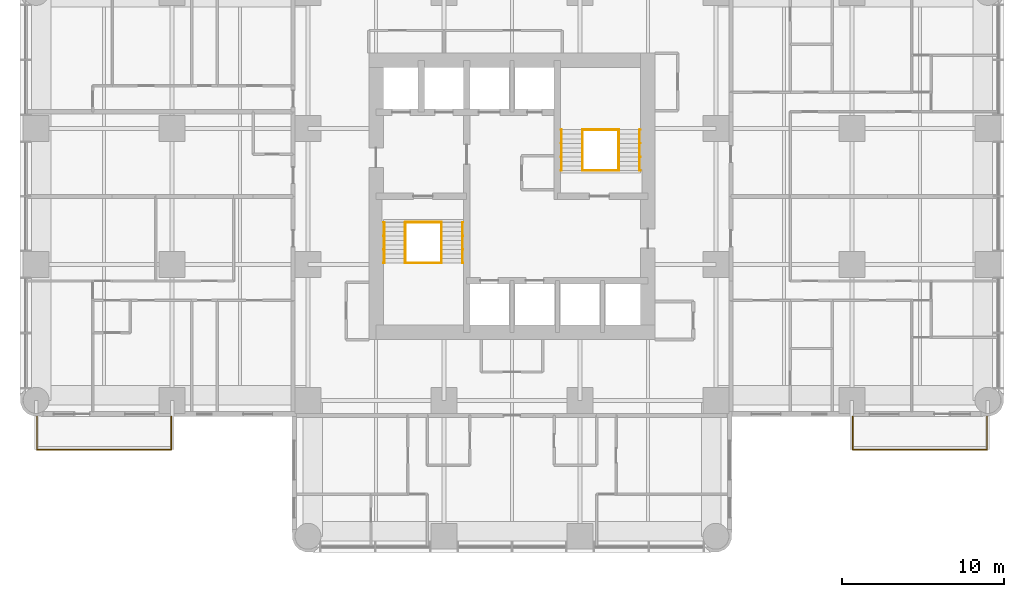
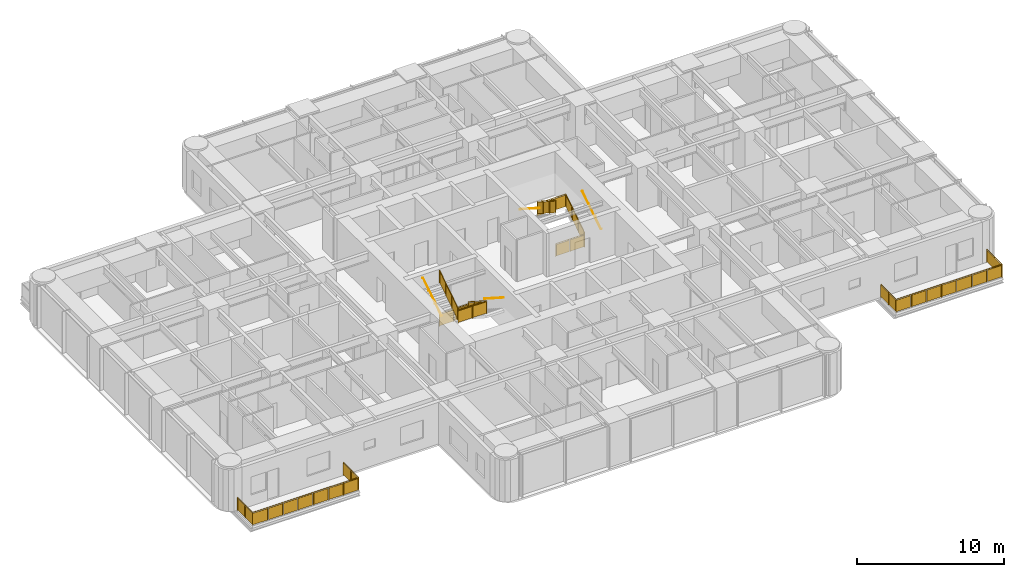
# One storey, part 14 of 15: 14 railings.
"""IFC4 building model written with IfcOpenShell, lengths in metres."""

import ifcopenshell
import ifcopenshell.guid

model = None  # the IFC model being written
_history = None  # IfcOwnerHistory: only IFC2X3 demands one
_inside = {}  # id of a spatial element -> (the spatial element, [elements in it])
_under = {}  # id of a project, library or spatial element -> (it, [spatial elements below it])
_declared = {}  # id of a project -> (the project, [libraries it declares])
_typed = {}  # id of a type object -> (the type object, [elements of that type])
_made_of = {}  # id of a material, layer set ... -> (it, [elements and type objects made of it])


def new_model(schema):
    """Start an empty IFC model of exactly this schema.

    Asked for "IFC4X3", IfcOpenShell would pick the latest addendum, in which some entities
    have other attributes; the version numbers below select the first issue.
    IFC2X3 requires an IfcOwnerHistory on every rooted entity: one is made here for all.
    """
    global model, _history
    if schema == "IFC4X3":
        model = ifcopenshell.file(schema_version=(4, 3, 0, 0))
    else:
        model = ifcopenshell.file(schema=schema)
    _inside.clear()
    _under.clear()
    _declared.clear()
    _typed.clear()
    _made_of.clear()
    _history = None
    if model.schema == "IFC2X3":
        org = make("IfcOrganization", Name="unknown")
        user = make(
            "IfcPersonAndOrganization",
            ThePerson=make("IfcPerson", FamilyName="unknown"),
            TheOrganization=org,
        )
        app = make(
            "IfcApplication",
            ApplicationDeveloper=org,
            Version="unknown",
            ApplicationFullName="unknown",
            ApplicationIdentifier="unknown",
        )
        _history = make(
            "IfcOwnerHistory",
            OwningUser=user,
            OwningApplication=app,
            ChangeAction="ADDED",
            CreationDate=0,
        )
    return model


def make(cls, **values):
    """One entity of the class cls with the attributes given. An attribute that is None is left unset."""
    return model.create_entity(
        cls, **{name: value for name, value in values.items() if value is not None}
    )


def rooted(cls, **values):
    """An entity with a GlobalId (a new one), such as an element, a storey or a relation."""
    return make(cls, GlobalId=ifcopenshell.guid.new(), OwnerHistory=_history, **values)


def si_unit(unit_type, name, prefix=None):
    """IfcSIUnit, for example si_unit("LENGTHUNIT", "METRE", prefix="MILLI")."""
    return make("IfcSIUnit", UnitType=unit_type, Prefix=prefix, Name=name)


def assignment(units):
    """IfcUnitAssignment: the units of a project."""
    return None if units is None else make("IfcUnitAssignment", Units=units)


def point(xyz):
    """IfcCartesianPoint."""
    return None if xyz is None else make("IfcCartesianPoint", Coordinates=xyz)


def direction(xyz):
    """IfcDirection."""
    return None if xyz is None else make("IfcDirection", DirectionRatios=xyz)


def frame(location, z_axis=None, x_axis=None):
    """IfcAxis2Placement3D, a coordinate frame: its origin and axes. An axis left out is left unset."""
    return make(
        "IfcAxis2Placement3D",
        Location=point(location),
        Axis=direction(z_axis),
        RefDirection=direction(x_axis),
    )


def frame_2d(location, x_axis=None):
    """IfcAxis2Placement2D, a coordinate frame in the plane: its origin and x axis."""
    return make(
        "IfcAxis2Placement2D", Location=point(location), RefDirection=direction(x_axis)
    )


def origin():
    """The frame at (0, 0, 0) with its axes left unset."""
    return frame((0.0, 0.0, 0.0))


def origin_2d():
    """The frame at (0, 0) in the plane with its x axis left unset."""
    return frame_2d((0.0, 0.0))


def place(relative_to, where):
    """IfcLocalPlacement: puts the frame where relative to a parent placement (None: the world)."""
    return make(
        "IfcLocalPlacement", PlacementRelTo=relative_to, RelativePlacement=where
    )


def context(
    kind, dimensions, precision=None, world=None, true_north=None, identifier=None
):
    """IfcGeometricRepresentationContext, for example the 3D "Model" context."""
    return make(
        "IfcGeometricRepresentationContext",
        ContextIdentifier=identifier,
        ContextType=kind,
        CoordinateSpaceDimension=dimensions,
        Precision=precision,
        WorldCoordinateSystem=world,
        TrueNorth=true_north,
    )


def subcontext(parent, identifier, kind, view, scale=None):
    """IfcGeometricRepresentationSubContext, for example "Body" below "Model"."""
    return make(
        "IfcGeometricRepresentationSubContext",
        ContextIdentifier=identifier,
        ContextType=kind,
        ParentContext=parent,
        TargetScale=scale,
        TargetView=view,
    )


def project(units=None, contexts=None):
    """IfcProject with its units and contexts."""
    return rooted(
        "IfcProject",
        Name="project",
        RepresentationContexts=contexts,
        UnitsInContext=assignment(units),
    )


def spatial(cls, under=None, at=None, **own):
    """A site, building, storey or space (cls), placed at a placement, below another one or the project."""
    s = rooted(cls, ObjectPlacement=at, **own)
    if under is not None:
        _under.setdefault(under.id(), (under, []))[1].append(s)
    return s


def polyline(points):
    """IfcPolyline through the points."""
    return make("IfcPolyline", Points=[point(p) for p in points])


def profile(cls, at=None, kind="AREA", **sizes):
    """A parametric profile (cls). Its sizes go by their IFC names, for example OverallWidth=200.0."""
    return make(cls, ProfileType=kind, Position=at, **sizes)


def circle(**sizes):
    """IfcCircleProfileDef."""
    return profile("IfcCircleProfileDef", **sizes)


def outline(outer, holes=None, kind="AREA"):
    """IfcArbitraryClosedProfileDef: a profile drawn as a closed curve; with holes, ...WithVoids."""
    if holes is None:
        return make("IfcArbitraryClosedProfileDef", ProfileType=kind, OuterCurve=outer)
    return make(
        "IfcArbitraryProfileDefWithVoids",
        ProfileType=kind,
        OuterCurve=outer,
        InnerCurves=holes,
    )


def extrude(swept, where, along, depth):
    """IfcExtrudedAreaSolid: the profile swept, set in the frame where, extruded along a direction by depth."""
    return make(
        "IfcExtrudedAreaSolid",
        SweptArea=swept,
        Position=where,
        ExtrudedDirection=direction(along),
        Depth=depth,
    )


def shape(context_of_items, identifier, shape_type, items):
    """IfcShapeRepresentation: the items that make up one representation, for example the "Body"."""
    return make(
        "IfcShapeRepresentation",
        ContextOfItems=context_of_items,
        RepresentationIdentifier=identifier,
        RepresentationType=shape_type,
        Items=items,
    )


def material(Name=None, Category=None):
    """IfcMaterial."""
    return make("IfcMaterial", Name=Name, Category=Category)


def constituent(of_material, Name=None, Category=None, fraction=None):
    """IfcMaterialConstituent: one of the materials an element consists of."""
    return make(
        "IfcMaterialConstituent",
        Name=Name,
        Material=of_material,
        Fraction=fraction,
        Category=Category,
    )


def constituent_set(constituents=None, Name=None):
    """IfcMaterialConstituentSet."""
    return make(
        "IfcMaterialConstituentSet", Name=Name, MaterialConstituents=constituents
    )


def made_of(thing, what):
    """Note that an element or type object is made of a material, layer set ...; save() writes the relation."""
    if what is not None:
        _made_of.setdefault(what.id(), (what, []))[1].append(thing)
    return thing


def type_object(cls, material=None, **own):
    """A type object (cls), such as IfcWallType, which elements share."""
    return made_of(rooted(cls, **own), material)


def element(
    cls,
    number,
    at=None,
    inside=None,
    cuts=None,
    type_object=None,
    material=None,
    context=None,
    identifier="Body",
    shape_type=None,
    held_by="IfcProductDefinitionShape",
    body=None,
    shapes=None,
    **own,
):
    """One element of the class cls, such as IfcWall. Its Tag is "e" and its number.

    at: its placement. inside: the storey or other place that contains it. cuts: it is an
    opening in that element (IfcRelVoidsElement). A single representation is given by context,
    identifier, shape_type and body (its items); several are given by shapes. held_by: the class
    of the entity that holds the representations. save() writes the other relations.
    """
    e = rooted(cls, Tag="e%d" % number, ObjectPlacement=at, **own)
    if body is not None:
        shapes = [shape(context, identifier, shape_type, body)]
    if shapes is not None:
        e.Representation = make(held_by, Representations=shapes)
    if inside is not None:
        _inside.setdefault(inside.id(), (inside, []))[1].append(e)
    if cuts is not None:
        rooted(
            "IfcRelVoidsElement", RelatingBuildingElement=cuts, RelatedOpeningElement=e
        )
    if type_object is not None:
        _typed.setdefault(type_object.id(), (type_object, []))[1].append(e)
    return made_of(e, material)


def aggregate(whole, parts):
    """IfcRelAggregates: a whole, such as a stair, and the parts it consists of."""
    return rooted("IfcRelAggregates", RelatingObject=whole, RelatedObjects=parts)


def save(model, path):
    """Write the relations noted so far, then the file.

    IfcRelAggregates (storeys below a building ...), IfcRelContainedInSpatialStructure (elements
    in a storey), IfcRelDefinesByType, IfcRelAssociatesMaterial and IfcRelDeclares: one each for
    every whole, place, type object, material and project.
    """
    for whole, parts in _under.values():
        aggregate(whole, parts)
    for where, things in _inside.values():
        rooted(
            "IfcRelContainedInSpatialStructure",
            RelatedElements=things,
            RelatingStructure=where,
        )
    for kind, things in _typed.values():
        rooted("IfcRelDefinesByType", RelatedObjects=things, RelatingType=kind)
    for what, things in _made_of.values():
        rooted("IfcRelAssociatesMaterial", RelatedObjects=things, RelatingMaterial=what)
    for by, libraries in _declared.values():
        rooted("IfcRelDeclares", RelatingContext=by, RelatedDefinitions=libraries)
    model.write(path)


model = new_model("IFC4")

# Units and contexts
model_context = context("Model", 3, precision=1e-05, world=origin(), true_north=direction((0.0, 1.0)))
body_context = subcontext(model_context, "Body", "Model", "MODEL_VIEW")
ifc_project = project(units=[si_unit("LENGTHUNIT", "METRE"), si_unit("AREAUNIT", "SQUARE_METRE"), si_unit("VOLUMEUNIT", "CUBIC_METRE"), si_unit("PLANEANGLEUNIT", "RADIAN"), si_unit("MASSUNIT", "GRAM", prefix="KILO")], contexts=[model_context])

# Site, building, storey
site_placement = place(None, origin())
site = spatial("IfcSite", under=ifc_project, at=site_placement, CompositionType="ELEMENT")
building_placement = place(site_placement, origin())
building = spatial("IfcBuilding", under=site, at=building_placement, Name="Torre Alcanfor", CompositionType="ELEMENT")
storey_placement = place(building_placement, frame((0.0, 0.0, 123.300048828125)))
storey = spatial("IfcBuildingStorey", under=building, at=storey_placement, Name="L31", CompositionType="ELEMENT", Elevation=123.300048828125)

# Railings
ifc_material_1 = material(Name="Laminated safety glass", Category="glass")
ifc_constituent_1 = constituent(ifc_material_1, Name="Infill")
ifc_material_2 = material(Name="Stainless steel ASTM A554 Grade MT 316L tube", Category="steel")
ifc_constituent_2 = constituent(ifc_material_2, Name="Posts and rail")
ifc_constituent_set = constituent_set(constituents=[ifc_constituent_1, ifc_constituent_2], Name="Balcony guard glass 1100")
railing_type_1 = type_object("IfcRailingType", Name="Balcony guard glass 1100", PredefinedType="BALUSTRADE", material=ifc_constituent_set)
railing_1_placement = place(storey_placement, frame((50.449951171875, 15.800048828125, 0.0)))
element("IfcRailing", 1, at=railing_1_placement, inside=storey, type_object=railing_type_1, Name="Balcony guard L31-E2", PredefinedType="BALUSTRADE", context=body_context, shape_type="SweptSolid", body=[
    extrude(circle(Radius=0.02392578125, at=origin_2d()), frame((0.0, 0.0, 1.076171875), z_axis=(0.0, -1.0, 0.0), x_axis=(1.0, 0.0, 0.0)), (0.0, 0.0, 1.0), 2.050048828125),
    extrude(circle(Radius=0.02392578125, at=origin_2d()), frame((0.0, -2.050048828125, 1.076171875), z_axis=(1.0, 0.0, 0.0), x_axis=(0.0, 1.0, 0.0)), (0.0, 0.0, 1.0), 8.300048828125),
    extrude(circle(Radius=0.02392578125, at=origin_2d()), frame((8.300048828125, -2.050048828125, 1.076171875), z_axis=(0.0, 1.0, 0.0), x_axis=(-1.0, 0.0, 0.0)), (0.0, 0.0, 1.0), 2.050048828125),
    extrude(circle(Radius=0.02099609375, at=origin_2d()), origin(), (0.0, 0.0, 1.0), 1.052001953125),
    extrude(circle(Radius=0.02099609375, at=origin_2d()), frame((0.0, -1.02490234375, 0.0)), (0.0, 0.0, 1.0), 1.052001953125),
    extrude(circle(Radius=0.02099609375, at=origin_2d()), frame((0.0, -2.050048828125, 0.0)), (0.0, 0.0, 1.0), 1.052001953125),
    extrude(circle(Radius=0.02099609375, at=origin_2d()), frame((1.185791015625, -2.050048828125, 0.0)), (0.0, 0.0, 1.0), 1.052001953125),
    extrude(circle(Radius=0.02099609375, at=origin_2d()), frame((2.371337890625, -2.050048828125, 0.0)), (0.0, 0.0, 1.0), 1.052001953125),
    extrude(circle(Radius=0.02099609375, at=origin_2d()), frame((3.55712890625, -2.050048828125, 0.0)), (0.0, 0.0, 1.0), 1.052001953125),
    extrude(circle(Radius=0.02099609375, at=origin_2d()), frame((4.742919921875, -2.050048828125, 0.0)), (0.0, 0.0, 1.0), 1.052001953125),
    extrude(circle(Radius=0.02099609375, at=origin_2d()), frame((5.9287109375, -2.050048828125, 0.0)), (0.0, 0.0, 1.0), 1.052001953125),
    extrude(circle(Radius=0.02099609375, at=origin_2d()), frame((7.1142578125, -2.050048828125, 0.0)), (0.0, 0.0, 1.0), 1.052001953125),
    extrude(circle(Radius=0.02099609375, at=origin_2d()), frame((8.300048828125, -2.050048828125, 0.0)), (0.0, 0.0, 1.0), 1.052001953125),
    extrude(circle(Radius=0.02099609375, at=origin_2d()), frame((8.300048828125, -1.02490234375, 0.0)), (0.0, 0.0, 1.0), 1.052001953125),
    extrude(circle(Radius=0.02099609375, at=origin_2d()), frame((8.300048828125, 0.0, 0.0)), (0.0, 0.0, 1.0), 1.052001953125),
    extrude(outline(polyline([(0.041015625, 0.050048828125), (0.984130859375, 0.050048828125), (0.984130859375, 1.001953125), (0.041015625, 1.001953125), (0.041015625, 0.050048828125)])), frame((0.005859375, 0.0, 0.0), z_axis=(-1.0, 0.0, 0.0), x_axis=(0.0, -1.0, 0.0)), (0.0, 0.0, 1.0), 0.011962890625),
    extrude(outline(polyline([(1.06591796875, 0.050048828125), (2.009033203125, 0.050048828125), (2.009033203125, 1.001953125), (1.06591796875, 1.001953125), (1.06591796875, 0.050048828125)])), frame((0.005859375, 0.0, 0.0), z_axis=(-1.0, 0.0, 0.0), x_axis=(0.0, -1.0, 0.0)), (0.0, 0.0, 1.0), 0.011962890625),
    extrude(outline(polyline([(0.041015625, 0.050048828125), (1.144775390625, 0.050048828125), (1.144775390625, 1.001953125), (0.041015625, 1.001953125), (0.041015625, 0.050048828125)])), frame((0.0, -2.0439453125, 0.0), z_axis=(0.0, -1.0, 0.0), x_axis=(1.0, 0.0, 0.0)), (0.0, 0.0, 1.0), 0.011962890625),
    extrude(outline(polyline([(1.226806640625, 0.050048828125), (2.330322265625, 0.050048828125), (2.330322265625, 1.001953125), (1.226806640625, 1.001953125), (1.226806640625, 0.050048828125)])), frame((0.0, -2.0439453125, 0.0), z_axis=(0.0, -1.0, 0.0), x_axis=(1.0, 0.0, 0.0)), (0.0, 0.0, 1.0), 0.011962890625),
    extrude(outline(polyline([(2.412353515625, 0.050048828125), (3.51611328125, 0.050048828125), (3.51611328125, 1.001953125), (2.412353515625, 1.001953125), (2.412353515625, 0.050048828125)])), frame((0.0, -2.0439453125, 0.0), z_axis=(0.0, -1.0, 0.0), x_axis=(1.0, 0.0, 0.0)), (0.0, 0.0, 1.0), 0.011962890625),
    extrude(outline(polyline([(3.59814453125, 0.050048828125), (4.701904296875, 0.050048828125), (4.701904296875, 1.001953125), (3.59814453125, 1.001953125), (3.59814453125, 0.050048828125)])), frame((0.0, -2.0439453125, 0.0), z_axis=(0.0, -1.0, 0.0), x_axis=(1.0, 0.0, 0.0)), (0.0, 0.0, 1.0), 0.011962890625),
    extrude(outline(polyline([(4.783935546875, 0.050048828125), (5.8876953125, 0.050048828125), (5.8876953125, 1.001953125), (4.783935546875, 1.001953125), (4.783935546875, 0.050048828125)])), frame((0.0, -2.0439453125, 0.0), z_axis=(0.0, -1.0, 0.0), x_axis=(1.0, 0.0, 0.0)), (0.0, 0.0, 1.0), 0.011962890625),
    extrude(outline(polyline([(5.9697265625, 0.050048828125), (7.0732421875, 0.050048828125), (7.0732421875, 1.001953125), (5.9697265625, 1.001953125), (5.9697265625, 0.050048828125)])), frame((0.0, -2.0439453125, 0.0), z_axis=(0.0, -1.0, 0.0), x_axis=(1.0, 0.0, 0.0)), (0.0, 0.0, 1.0), 0.011962890625),
    extrude(outline(polyline([(7.1552734375, 0.050048828125), (8.259033203125, 0.050048828125), (8.259033203125, 1.001953125), (7.1552734375, 1.001953125), (7.1552734375, 0.050048828125)])), frame((0.0, -2.0439453125, 0.0), z_axis=(0.0, -1.0, 0.0), x_axis=(1.0, 0.0, 0.0)), (0.0, 0.0, 1.0), 0.011962890625),
    extrude(outline(polyline([(0.041015625, 0.050048828125), (0.984130859375, 0.050048828125), (0.984130859375, 1.001953125), (0.041015625, 1.001953125), (0.041015625, 0.050048828125)])), frame((8.2939453125, -2.050048828125, 0.0), z_axis=(1.0, 0.0, 0.0), x_axis=(0.0, 1.0, 0.0)), (0.0, 0.0, 1.0), 0.011962890625),
    extrude(outline(polyline([(1.06591796875, 0.050048828125), (2.009033203125, 0.050048828125), (2.009033203125, 1.001953125), (1.06591796875, 1.001953125), (1.06591796875, 0.050048828125)])), frame((8.2939453125, -2.050048828125, 0.0), z_axis=(1.0, 0.0, 0.0), x_axis=(0.0, 1.0, 0.0)), (0.0, 0.0, 1.0), 0.011962890625),
])
railing_2_placement = place(storey_placement, frame((8.35009765625, 15.800048828125, 0.0)))
element("IfcRailing", 2, at=railing_2_placement, inside=storey, type_object=railing_type_1, Name="Balcony guard L31-W1", PredefinedType="BALUSTRADE", context=body_context, shape_type="SweptSolid", body=[
    extrude(circle(Radius=0.02392578125, at=origin_2d()), frame((0.0, 0.0, 1.076171875), z_axis=(0.0, -1.0, 0.0), x_axis=(1.0, 0.0, 0.0)), (0.0, 0.0, 1.0), 2.050048828125),
    extrude(circle(Radius=0.02392578125, at=origin_2d()), frame((0.0, -2.050048828125, 1.076171875), z_axis=(-1.0, 0.0, 0.0), x_axis=(0.0, -1.0, 0.0)), (0.0, 0.0, 1.0), 8.300048828125),
    extrude(circle(Radius=0.02392578125, at=origin_2d()), frame((-8.300048828125, -2.050048828125, 1.076171875), z_axis=(0.0, 1.0, 0.0), x_axis=(-1.0, 0.0, 0.0)), (0.0, 0.0, 1.0), 2.050048828125),
    extrude(circle(Radius=0.02099609375, at=origin_2d()), origin(), (0.0, 0.0, 1.0), 1.052001953125),
    extrude(circle(Radius=0.02099609375, at=origin_2d()), frame((0.0, -1.02490234375, 0.0)), (0.0, 0.0, 1.0), 1.052001953125),
    extrude(circle(Radius=0.02099609375, at=origin_2d()), frame((0.0, -2.050048828125, 0.0)), (0.0, 0.0, 1.0), 1.052001953125),
    extrude(circle(Radius=0.02099609375, at=origin_2d()), frame((-1.185791015625, -2.050048828125, 0.0)), (0.0, 0.0, 1.0), 1.052001953125),
    extrude(circle(Radius=0.02099609375, at=origin_2d()), frame((-2.371337890625, -2.050048828125, 0.0)), (0.0, 0.0, 1.0), 1.052001953125),
    extrude(circle(Radius=0.02099609375, at=origin_2d()), frame((-3.55712890625, -2.050048828125, 0.0)), (0.0, 0.0, 1.0), 1.052001953125),
    extrude(circle(Radius=0.02099609375, at=origin_2d()), frame((-4.742919921875, -2.050048828125, 0.0)), (0.0, 0.0, 1.0), 1.052001953125),
    extrude(circle(Radius=0.02099609375, at=origin_2d()), frame((-5.9287109375, -2.050048828125, 0.0)), (0.0, 0.0, 1.0), 1.052001953125),
    extrude(circle(Radius=0.02099609375, at=origin_2d()), frame((-7.1142578125, -2.050048828125, 0.0)), (0.0, 0.0, 1.0), 1.052001953125),
    extrude(circle(Radius=0.02099609375, at=origin_2d()), frame((-8.300048828125, -2.050048828125, 0.0)), (0.0, 0.0, 1.0), 1.052001953125),
    extrude(circle(Radius=0.02099609375, at=origin_2d()), frame((-8.300048828125, -1.02490234375, 0.0)), (0.0, 0.0, 1.0), 1.052001953125),
    extrude(circle(Radius=0.02099609375, at=origin_2d()), frame((-8.300048828125, 0.0, 0.0)), (0.0, 0.0, 1.0), 1.052001953125),
    extrude(outline(polyline([(0.041015625, 0.050048828125), (0.984130859375, 0.050048828125), (0.984130859375, 1.001953125), (0.041015625, 1.001953125), (0.041015625, 0.050048828125)])), frame((0.005859375, 0.0, 0.0), z_axis=(-1.0, 0.0, 0.0), x_axis=(0.0, -1.0, 0.0)), (0.0, 0.0, 1.0), 0.011962890625),
    extrude(outline(polyline([(1.06591796875, 0.050048828125), (2.009033203125, 0.050048828125), (2.009033203125, 1.001953125), (1.06591796875, 1.001953125), (1.06591796875, 0.050048828125)])), frame((0.005859375, 0.0, 0.0), z_axis=(-1.0, 0.0, 0.0), x_axis=(0.0, -1.0, 0.0)), (0.0, 0.0, 1.0), 0.011962890625),
    extrude(outline(polyline([(0.041015625, 0.050048828125), (1.144775390625, 0.050048828125), (1.144775390625, 1.001953125), (0.041015625, 1.001953125), (0.041015625, 0.050048828125)])), frame((0.0, -2.05615234375, 0.0), z_axis=(0.0, 1.0, 0.0), x_axis=(-1.0, 0.0, 0.0)), (0.0, 0.0, 1.0), 0.011962890625),
    extrude(outline(polyline([(1.226806640625, 0.050048828125), (2.330322265625, 0.050048828125), (2.330322265625, 1.001953125), (1.226806640625, 1.001953125), (1.226806640625, 0.050048828125)])), frame((0.0, -2.05615234375, 0.0), z_axis=(0.0, 1.0, 0.0), x_axis=(-1.0, 0.0, 0.0)), (0.0, 0.0, 1.0), 0.011962890625),
    extrude(outline(polyline([(2.412353515625, 0.050048828125), (3.51611328125, 0.050048828125), (3.51611328125, 1.001953125), (2.412353515625, 1.001953125), (2.412353515625, 0.050048828125)])), frame((0.0, -2.05615234375, 0.0), z_axis=(0.0, 1.0, 0.0), x_axis=(-1.0, 0.0, 0.0)), (0.0, 0.0, 1.0), 0.011962890625),
    extrude(outline(polyline([(3.59814453125, 0.050048828125), (4.701904296875, 0.050048828125), (4.701904296875, 1.001953125), (3.59814453125, 1.001953125), (3.59814453125, 0.050048828125)])), frame((0.0, -2.05615234375, 0.0), z_axis=(0.0, 1.0, 0.0), x_axis=(-1.0, 0.0, 0.0)), (0.0, 0.0, 1.0), 0.011962890625),
    extrude(outline(polyline([(4.783935546875, 0.050048828125), (5.8876953125, 0.050048828125), (5.8876953125, 1.001953125), (4.783935546875, 1.001953125), (4.783935546875, 0.050048828125)])), frame((0.0, -2.05615234375, 0.0), z_axis=(0.0, 1.0, 0.0), x_axis=(-1.0, 0.0, 0.0)), (0.0, 0.0, 1.0), 0.011962890625),
    extrude(outline(polyline([(5.9697265625, 0.050048828125), (7.0732421875, 0.050048828125), (7.0732421875, 1.001953125), (5.9697265625, 1.001953125), (5.9697265625, 0.050048828125)])), frame((0.0, -2.05615234375, 0.0), z_axis=(0.0, 1.0, 0.0), x_axis=(-1.0, 0.0, 0.0)), (0.0, 0.0, 1.0), 0.011962890625),
    extrude(outline(polyline([(7.1552734375, 0.050048828125), (8.259033203125, 0.050048828125), (8.259033203125, 1.001953125), (7.1552734375, 1.001953125), (7.1552734375, 0.050048828125)])), frame((0.0, -2.05615234375, 0.0), z_axis=(0.0, 1.0, 0.0), x_axis=(-1.0, 0.0, 0.0)), (0.0, 0.0, 1.0), 0.011962890625),
    extrude(outline(polyline([(0.041015625, 0.050048828125), (0.984130859375, 0.050048828125), (0.984130859375, 1.001953125), (0.041015625, 1.001953125), (0.041015625, 0.050048828125)])), frame((-8.30615234375, -2.050048828125, 0.0), z_axis=(1.0, 0.0, 0.0), x_axis=(0.0, 1.0, 0.0)), (0.0, 0.0, 1.0), 0.011962890625),
    extrude(outline(polyline([(1.06591796875, 0.050048828125), (2.009033203125, 0.050048828125), (2.009033203125, 1.001953125), (1.06591796875, 1.001953125), (1.06591796875, 0.050048828125)])), frame((-8.30615234375, -2.050048828125, 0.0), z_axis=(1.0, 0.0, 0.0), x_axis=(0.0, 1.0, 0.0)), (0.0, 0.0, 1.0), 0.011962890625),
])
ifc_material_3 = material(Name="Steel ASTM A500 Grade C hollow sections", Category="steel")
railing_type_2 = type_object("IfcRailingType", Name="Stair guard and handrail 1100", PredefinedType="GUARDRAIL", material=ifc_material_3)
railing_3_placement = place(storey_placement, frame((25.050048828125, 27.800048828125, 0.179931640625)))
element("IfcRailing", 3, at=railing_3_placement, inside=storey, type_object=railing_type_2, Name="Stair guard S1 L31 flight 1", PredefinedType="GUARDRAIL", context=body_context, shape_type="SweptSolid", body=[
    extrude(circle(Radius=0.02392578125, at=origin_2d()), frame((0.0, 0.0, 1.076171875), z_axis=(0.0, -0.841162588446, 0.540782303519), x_axis=(1.0, 0.0, 0.0)), (0.0, 0.0, 1.0), 2.995849609375),
    extrude(circle(Radius=0.02099609375, at=origin_2d()), origin(), (0.0, 0.0, 1.0), 1.052001953125),
    extrude(circle(Radius=0.02099609375, at=origin_2d()), frame((0.0, -0.840087890625, 0.5400390625)), (0.0, 0.0, 1.0), 1.052001953125),
    extrude(circle(Radius=0.02099609375, at=origin_2d()), frame((0.0, -1.679931640625, 1.080078125)), (0.0, 0.0, 1.0), 1.052001953125),
    extrude(circle(Radius=0.02099609375, at=origin_2d()), frame((0.0, -2.52001953125, 1.6201171875)), (0.0, 0.0, 1.0), 1.052001953125),
    extrude(outline(polyline([(0.041015625, 0.076416015625), (0.799072265625, 0.563720703125), (0.799072265625, 1.515625), (0.041015625, 1.0283203125), (0.041015625, 0.076416015625)])), frame((0.005859375, 0.0, 0.0), z_axis=(-1.0, 0.0, 0.0), x_axis=(0.0, -1.0, 0.0)), (0.0, 0.0, 1.0), 0.011962890625),
    extrude(outline(polyline([(0.881103515625, 0.616455078125), (1.638916015625, 1.103759765625), (1.638916015625, 2.0556640625), (0.881103515625, 1.568359375), (0.881103515625, 0.616455078125)])), frame((0.005859375, 0.0, 0.0), z_axis=(-1.0, 0.0, 0.0), x_axis=(0.0, -1.0, 0.0)), (0.0, 0.0, 1.0), 0.011962890625),
    extrude(outline(polyline([(1.720947265625, 1.156494140625), (2.47900390625, 1.643798828125), (2.47900390625, 2.595703125), (1.720947265625, 2.1083984375), (1.720947265625, 1.156494140625)])), frame((0.005859375, 0.0, 0.0), z_axis=(-1.0, 0.0, 0.0), x_axis=(0.0, -1.0, 0.0)), (0.0, 0.0, 1.0), 0.011962890625),
])
railing_4_placement = place(storey_placement, frame((22.800048828125, 25.280029296875, 1.97998046875)))
element("IfcRailing", 4, at=railing_4_placement, inside=storey, type_object=railing_type_2, Name="Stair guard S1 L31 flight 2", PredefinedType="GUARDRAIL", context=body_context, shape_type="SweptSolid", body=[
    extrude(circle(Radius=0.02392578125, at=origin_2d()), frame((0.0, 0.0, 1.076171875), z_axis=(0.0, 0.841199657755, 0.540724639528), x_axis=(-1.0, 0.0, 0.0)), (0.0, 0.0, 1.0), 2.995849609375),
    extrude(circle(Radius=0.02099609375, at=origin_2d()), origin(), (0.0, 0.0, 1.0), 1.052001953125),
    extrude(circle(Radius=0.02099609375, at=origin_2d()), frame((0.0, 0.840087890625, 0.5400390625)), (0.0, 0.0, 1.0), 1.052001953125),
    extrude(circle(Radius=0.02099609375, at=origin_2d()), frame((0.0, 1.679931640625, 1.079833984375)), (0.0, 0.0, 1.0), 1.052001953125),
    extrude(circle(Radius=0.02099609375, at=origin_2d()), frame((0.0, 2.52001953125, 1.619873046875)), (0.0, 0.0, 1.0), 1.052001953125),
    extrude(outline(polyline([(0.041015625, 0.076416015625), (0.799072265625, 0.563720703125), (0.799072265625, 1.515625), (0.041015625, 1.0283203125), (0.041015625, 0.076416015625)])), frame((-0.005859375, 0.0, 0.0), z_axis=(1.0, 0.0, 0.0), x_axis=(0.0, 1.0, 0.0)), (0.0, 0.0, 1.0), 0.011962890625),
    extrude(outline(polyline([(0.881103515625, 0.6162109375), (1.638916015625, 1.103515625), (1.638916015625, 2.0556640625), (0.881103515625, 1.568359375), (0.881103515625, 0.6162109375)])), frame((-0.005859375, 0.0, 0.0), z_axis=(1.0, 0.0, 0.0), x_axis=(0.0, 1.0, 0.0)), (0.0, 0.0, 1.0), 0.011962890625),
    extrude(outline(polyline([(1.720947265625, 1.15625), (2.47900390625, 1.6435546875), (2.47900390625, 2.595458984375), (1.720947265625, 2.108154296875), (1.720947265625, 1.15625)])), frame((-0.005859375, 0.0, 0.0), z_axis=(1.0, 0.0, 0.0), x_axis=(0.0, 1.0, 0.0)), (0.0, 0.0, 1.0), 0.011962890625),
])
for number, where, name in (
    (5, (22.800048828125, 27.800048828125, 0.0), "Stair well guard S1 L31 floor landing"),
    (6, (22.800048828125, 25.280029296875, 1.800048828125), "Stair well guard S1 L31 half landing"),
):
    element("IfcRailing", number, at=place(storey_placement, frame(where)), inside=storey, type_object=railing_type_2, Name=name, PredefinedType="GUARDRAIL", context=body_context, shape_type="SweptSolid", body=[
        extrude(circle(Radius=0.02392578125, at=origin_2d()), frame((0.0, 0.0, 1.076171875), z_axis=(1.0, 0.0, 0.0), x_axis=(0.0, 1.0, 0.0)), (0.0, 0.0, 1.0), 2.25),
        extrude(circle(Radius=0.02099609375, at=origin_2d()), origin(), (0.0, 0.0, 1.0), 1.052001953125),
        extrude(circle(Radius=0.02099609375, at=origin_2d()), frame((1.125, 0.0, 0.0)), (0.0, 0.0, 1.0), 1.052001953125),
        extrude(circle(Radius=0.02099609375, at=origin_2d()), frame((2.25, 0.0, 0.0)), (0.0, 0.0, 1.0), 1.052001953125),
        extrude(outline(polyline([(0.041015625, 0.050048828125), (1.083984375, 0.050048828125), (1.083984375, 1.001953125), (0.041015625, 1.001953125), (0.041015625, 0.050048828125)])), frame((0.0, 0.005859375, 0.0), z_axis=(0.0, -1.0, 0.0), x_axis=(1.0, 0.0, 0.0)), (0.0, 0.0, 1.0), 0.011962890625),
        extrude(outline(polyline([(1.166015625, 0.050048828125), (2.208984375, 0.050048828125), (2.208984375, 1.001953125), (1.166015625, 1.001953125), (1.166015625, 0.050048828125)])), frame((0.0, 0.005859375, 0.0), z_axis=(0.0, -1.0, 0.0), x_axis=(1.0, 0.0, 0.0)), (0.0, 0.0, 1.0), 0.011962890625),
    ])
railing_5_placement = place(storey_placement, frame((36.0, 31.0, 0.179931640625)))
element("IfcRailing", 7, at=railing_5_placement, inside=storey, type_object=railing_type_2, Name="Stair guard S2 L31 flight 1", PredefinedType="GUARDRAIL", context=body_context, shape_type="SweptSolid", body=[
    extrude(circle(Radius=0.02392578125, at=origin_2d()), frame((0.0, 0.0, 1.076171875), z_axis=(0.0, 0.841162588446, 0.540782303519), x_axis=(-1.0, 0.0, 0.0)), (0.0, 0.0, 1.0), 2.995849609375),
    extrude(circle(Radius=0.02099609375, at=origin_2d()), origin(), (0.0, 0.0, 1.0), 1.052001953125),
    extrude(circle(Radius=0.02099609375, at=origin_2d()), frame((0.0, 0.840087890625, 0.5400390625)), (0.0, 0.0, 1.0), 1.052001953125),
    extrude(circle(Radius=0.02099609375, at=origin_2d()), frame((0.0, 1.679931640625, 1.080078125)), (0.0, 0.0, 1.0), 1.052001953125),
    extrude(circle(Radius=0.02099609375, at=origin_2d()), frame((0.0, 2.52001953125, 1.6201171875)), (0.0, 0.0, 1.0), 1.052001953125),
    extrude(outline(polyline([(0.041015625, 0.076416015625), (0.799072265625, 0.563720703125), (0.799072265625, 1.515625), (0.041015625, 1.0283203125), (0.041015625, 0.076416015625)])), frame((-0.005859375, 0.0, 0.0), z_axis=(1.0, 0.0, 0.0), x_axis=(0.0, 1.0, 0.0)), (0.0, 0.0, 1.0), 0.011962890625),
    extrude(outline(polyline([(0.881103515625, 0.616455078125), (1.638916015625, 1.103759765625), (1.638916015625, 2.0556640625), (0.881103515625, 1.568359375), (0.881103515625, 0.616455078125)])), frame((-0.005859375, 0.0, 0.0), z_axis=(1.0, 0.0, 0.0), x_axis=(0.0, 1.0, 0.0)), (0.0, 0.0, 1.0), 0.011962890625),
    extrude(outline(polyline([(1.720947265625, 1.156494140625), (2.47900390625, 1.643798828125), (2.47900390625, 2.595703125), (1.720947265625, 2.1083984375), (1.720947265625, 1.156494140625)])), frame((-0.005859375, 0.0, 0.0), z_axis=(1.0, 0.0, 0.0), x_axis=(0.0, 1.0, 0.0)), (0.0, 0.0, 1.0), 0.011962890625),
])
railing_6_placement = place(storey_placement, frame((33.75, 33.52001953125, 1.97998046875)))
element("IfcRailing", 8, at=railing_6_placement, inside=storey, type_object=railing_type_2, Name="Stair guard S2 L31 flight 2", PredefinedType="GUARDRAIL", context=body_context, shape_type="SweptSolid", body=[
    extrude(circle(Radius=0.02392578125, at=origin_2d()), frame((0.0, 0.0, 1.076171875), z_axis=(0.0, -0.841199657755, 0.540724639528), x_axis=(1.0, 0.0, 0.0)), (0.0, 0.0, 1.0), 2.995849609375),
    extrude(circle(Radius=0.02099609375, at=origin_2d()), origin(), (0.0, 0.0, 1.0), 1.052001953125),
    extrude(circle(Radius=0.02099609375, at=origin_2d()), frame((0.0, -0.840087890625, 0.5400390625)), (0.0, 0.0, 1.0), 1.052001953125),
    extrude(circle(Radius=0.02099609375, at=origin_2d()), frame((0.0, -1.679931640625, 1.079833984375)), (0.0, 0.0, 1.0), 1.052001953125),
    extrude(circle(Radius=0.02099609375, at=origin_2d()), frame((0.0, -2.52001953125, 1.619873046875)), (0.0, 0.0, 1.0), 1.052001953125),
    extrude(outline(polyline([(0.041015625, 0.076416015625), (0.799072265625, 0.563720703125), (0.799072265625, 1.515625), (0.041015625, 1.0283203125), (0.041015625, 0.076416015625)])), frame((0.005859375, 0.0, 0.0), z_axis=(-1.0, 0.0, 0.0), x_axis=(0.0, -1.0, 0.0)), (0.0, 0.0, 1.0), 0.011962890625),
    extrude(outline(polyline([(0.881103515625, 0.6162109375), (1.638916015625, 1.103515625), (1.638916015625, 2.0556640625), (0.881103515625, 1.568359375), (0.881103515625, 0.6162109375)])), frame((0.005859375, 0.0, 0.0), z_axis=(-1.0, 0.0, 0.0), x_axis=(0.0, -1.0, 0.0)), (0.0, 0.0, 1.0), 0.011962890625),
    extrude(outline(polyline([(1.720947265625, 1.15625), (2.47900390625, 1.6435546875), (2.47900390625, 2.595458984375), (1.720947265625, 2.108154296875), (1.720947265625, 1.15625)])), frame((0.005859375, 0.0, 0.0), z_axis=(-1.0, 0.0, 0.0), x_axis=(0.0, -1.0, 0.0)), (0.0, 0.0, 1.0), 0.011962890625),
])
for number, where, name in (
    (9, (33.75, 31.0, 0.0), "Stair well guard S2 L31 floor landing"),
    (10, (33.75, 33.52001953125, 1.800048828125), "Stair well guard S2 L31 half landing"),
):
    element("IfcRailing", number, at=place(storey_placement, frame(where)), inside=storey, type_object=railing_type_2, Name=name, PredefinedType="GUARDRAIL", context=body_context, shape_type="SweptSolid", body=[
        extrude(circle(Radius=0.02392578125, at=origin_2d()), frame((0.0, 0.0, 1.076171875), z_axis=(1.0, 0.0, 0.0), x_axis=(0.0, 1.0, 0.0)), (0.0, 0.0, 1.0), 2.25),
        extrude(circle(Radius=0.02099609375, at=origin_2d()), origin(), (0.0, 0.0, 1.0), 1.052001953125),
        extrude(circle(Radius=0.02099609375, at=origin_2d()), frame((1.125, 0.0, 0.0)), (0.0, 0.0, 1.0), 1.052001953125),
        extrude(circle(Radius=0.02099609375, at=origin_2d()), frame((2.25, 0.0, 0.0)), (0.0, 0.0, 1.0), 1.052001953125),
        extrude(outline(polyline([(0.041015625, 0.050048828125), (1.083984375, 0.050048828125), (1.083984375, 1.001953125), (0.041015625, 1.001953125), (0.041015625, 0.050048828125)])), frame((0.0, 0.005859375, 0.0), z_axis=(0.0, -1.0, 0.0), x_axis=(1.0, 0.0, 0.0)), (0.0, 0.0, 1.0), 0.011962890625),
        extrude(outline(polyline([(1.166015625, 0.050048828125), (2.208984375, 0.050048828125), (2.208984375, 1.001953125), (1.166015625, 1.001953125), (1.166015625, 0.050048828125)])), frame((0.0, 0.005859375, 0.0), z_axis=(0.0, -1.0, 0.0), x_axis=(1.0, 0.0, 0.0)), (0.0, 0.0, 1.0), 0.011962890625),
    ])
ifc_material_4 = material(Name="Steel ASTM A500 Grade C hollow sections", Category="steel")
railing_type_3 = type_object("IfcRailingType", Name="Stair wall handrail 900", PredefinedType="HANDRAIL", material=ifc_material_4)
railing_7_placement = place(storey_placement, frame((26.3349609375, 27.800048828125, 0.179931640625)))
element("IfcRailing", 11, at=railing_7_placement, inside=storey, type_object=railing_type_3, Name="Stair handrail S1 L31 flight 1", PredefinedType="HANDRAIL", context=body_context, shape_type="SweptSolid", body=[
    extrude(circle(Radius=0.02392578125, at=origin_2d()), frame((0.0, 0.0, 0.8759765625), z_axis=(0.0, -0.841162588446, 0.540782303519), x_axis=(1.0, 0.0, 0.0)), (0.0, 0.0, 1.0), 2.995849609375),
    extrude(circle(Radius=0.008056640625, at=origin_2d()), frame((0.0, 0.0, 0.8759765625), z_axis=(1.0, 0.0, 0.0), x_axis=(0.0, 0.0, 1.0)), (0.0, 0.0, 1.0), 0.06494140625),
    extrude(circle(Radius=0.008056640625, at=origin_2d()), frame((0.0, -0.840087890625, 1.416015625), z_axis=(1.0, 0.0, 0.0), x_axis=(0.0, 0.0, 1.0)), (0.0, 0.0, 1.0), 0.06494140625),
    extrude(circle(Radius=0.008056640625, at=origin_2d()), frame((0.0, -1.679931640625, 1.9560546875), z_axis=(1.0, 0.0, 0.0), x_axis=(0.0, 0.0, 1.0)), (0.0, 0.0, 1.0), 0.06494140625),
    extrude(circle(Radius=0.008056640625, at=origin_2d()), frame((0.0, -2.52001953125, 2.49609375), z_axis=(1.0, 0.0, 0.0), x_axis=(0.0, 0.0, 1.0)), (0.0, 0.0, 1.0), 0.06494140625),
])
railing_8_placement = place(storey_placement, frame((21.514892578125, 25.280029296875, 1.97998046875)))
element("IfcRailing", 12, at=railing_8_placement, inside=storey, type_object=railing_type_3, Name="Stair handrail S1 L31 flight 2", PredefinedType="HANDRAIL", context=body_context, shape_type="SweptSolid", body=[
    extrude(circle(Radius=0.02392578125, at=origin_2d()), frame((0.0, 0.0, 0.8759765625), z_axis=(0.0, 0.841199657755, 0.540724639528), x_axis=(-1.0, 0.0, 0.0)), (0.0, 0.0, 1.0), 2.995849609375),
    extrude(circle(Radius=0.008056640625, at=origin_2d()), frame((0.0, 0.0, 0.8759765625), z_axis=(-1.0, 0.0, 0.0), x_axis=(0.0, 0.0, 1.0)), (0.0, 0.0, 1.0), 0.06494140625),
    extrude(circle(Radius=0.008056640625, at=origin_2d()), frame((0.0, 0.840087890625, 1.415771484375), z_axis=(-1.0, 0.0, 0.0), x_axis=(0.0, 0.0, 1.0)), (0.0, 0.0, 1.0), 0.06494140625),
    extrude(circle(Radius=0.008056640625, at=origin_2d()), frame((0.0, 1.679931640625, 1.955810546875), z_axis=(-1.0, 0.0, 0.0), x_axis=(0.0, 0.0, 1.0)), (0.0, 0.0, 1.0), 0.06494140625),
    extrude(circle(Radius=0.008056640625, at=origin_2d()), frame((0.0, 2.52001953125, 2.49560546875), z_axis=(-1.0, 0.0, 0.0), x_axis=(0.0, 0.0, 1.0)), (0.0, 0.0, 1.0), 0.06494140625),
])
railing_9_placement = place(storey_placement, frame((37.284912109375, 31.0, 0.179931640625)))
element("IfcRailing", 13, at=railing_9_placement, inside=storey, type_object=railing_type_3, Name="Stair handrail S2 L31 flight 1", PredefinedType="HANDRAIL", context=body_context, shape_type="SweptSolid", body=[
    extrude(circle(Radius=0.02392578125, at=origin_2d()), frame((0.0, 0.0, 0.8759765625), z_axis=(0.0, 0.841162588446, 0.540782303519), x_axis=(-1.0, 0.0, 0.0)), (0.0, 0.0, 1.0), 2.995849609375),
    extrude(circle(Radius=0.008056640625, at=origin_2d()), frame((0.0, 0.0, 0.8759765625), z_axis=(1.0, 0.0, 0.0), x_axis=(0.0, 0.0, 1.0)), (0.0, 0.0, 1.0), 0.06494140625),
    extrude(circle(Radius=0.008056640625, at=origin_2d()), frame((0.0, 0.840087890625, 1.416015625), z_axis=(1.0, 0.0, 0.0), x_axis=(0.0, 0.0, 1.0)), (0.0, 0.0, 1.0), 0.06494140625),
    extrude(circle(Radius=0.008056640625, at=origin_2d()), frame((0.0, 1.679931640625, 1.9560546875), z_axis=(1.0, 0.0, 0.0), x_axis=(0.0, 0.0, 1.0)), (0.0, 0.0, 1.0), 0.06494140625),
    extrude(circle(Radius=0.008056640625, at=origin_2d()), frame((0.0, 2.52001953125, 2.49609375), z_axis=(1.0, 0.0, 0.0), x_axis=(0.0, 0.0, 1.0)), (0.0, 0.0, 1.0), 0.06494140625),
])
railing_10_placement = place(storey_placement, frame((32.465087890625, 33.52001953125, 1.97998046875)))
element("IfcRailing", 14, at=railing_10_placement, inside=storey, type_object=railing_type_3, Name="Stair handrail S2 L31 flight 2", PredefinedType="HANDRAIL", context=body_context, shape_type="SweptSolid", body=[
    extrude(circle(Radius=0.02392578125, at=origin_2d()), frame((0.0, 0.0, 0.8759765625), z_axis=(0.0, -0.841199657755, 0.540724639528), x_axis=(1.0, 0.0, 0.0)), (0.0, 0.0, 1.0), 2.995849609375),
    extrude(circle(Radius=0.008056640625, at=origin_2d()), frame((0.0, 0.0, 0.8759765625), z_axis=(-1.0, 0.0, 0.0), x_axis=(0.0, 0.0, 1.0)), (0.0, 0.0, 1.0), 0.06494140625),
    extrude(circle(Radius=0.008056640625, at=origin_2d()), frame((0.0, -0.840087890625, 1.415771484375), z_axis=(-1.0, 0.0, 0.0), x_axis=(0.0, 0.0, 1.0)), (0.0, 0.0, 1.0), 0.06494140625),
    extrude(circle(Radius=0.008056640625, at=origin_2d()), frame((0.0, -1.679931640625, 1.955810546875), z_axis=(-1.0, 0.0, 0.0), x_axis=(0.0, 0.0, 1.0)), (0.0, 0.0, 1.0), 0.06494140625),
    extrude(circle(Radius=0.008056640625, at=origin_2d()), frame((0.0, -2.52001953125, 2.49560546875), z_axis=(-1.0, 0.0, 0.0), x_axis=(0.0, 0.0, 1.0)), (0.0, 0.0, 1.0), 0.06494140625),
])

save(model, "model.ifc")
